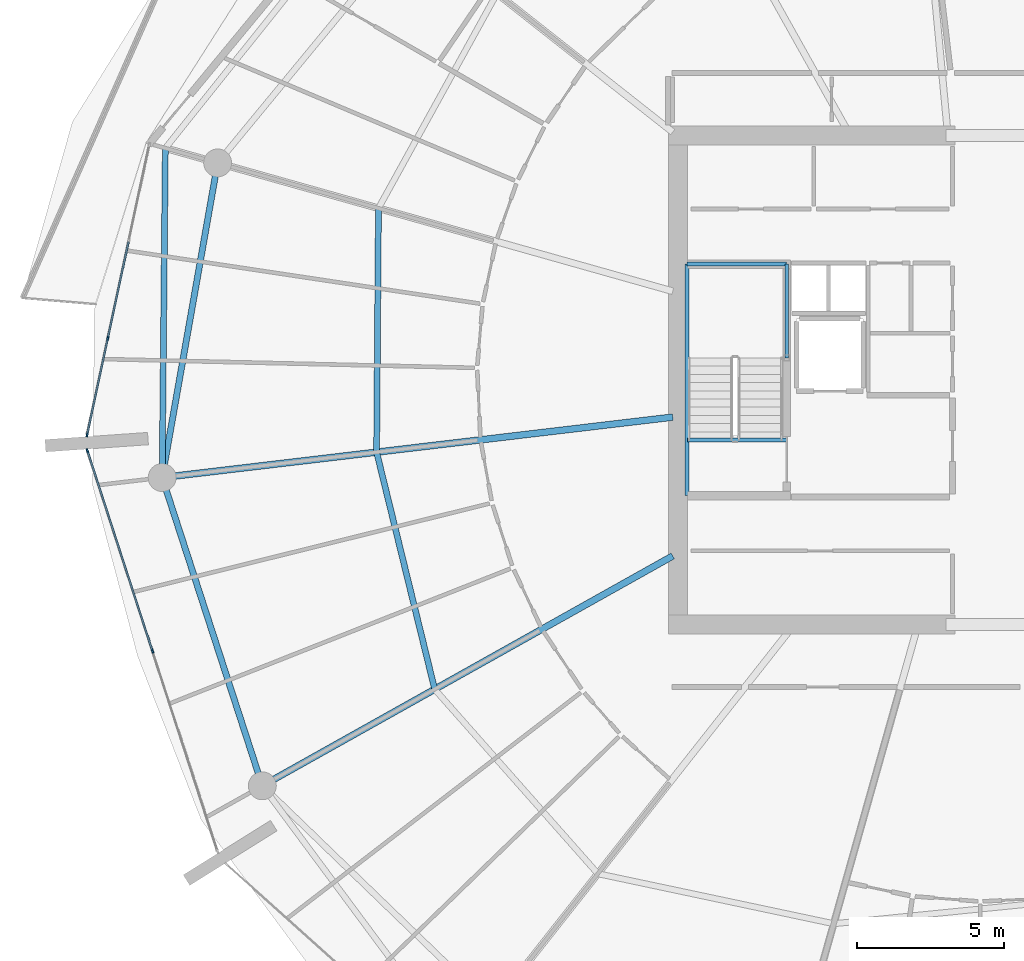
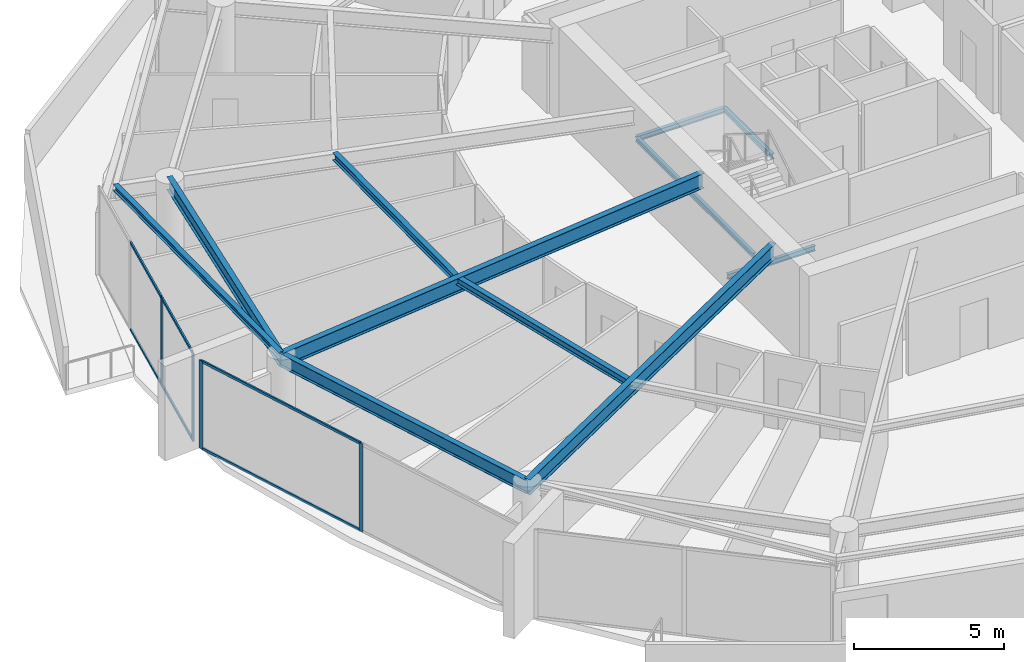
# One storey, part 8 of 30: 11 beams, 10 members, 2 elements without a shape of their own.
"""IFC4 building model written with IfcOpenShell, lengths in metres."""

import ifcopenshell
import ifcopenshell.guid

model = None  # the IFC model being written
_history = None  # IfcOwnerHistory: only IFC2X3 demands one
_inside = {}  # id of a spatial element -> (the spatial element, [elements in it])
_under = {}  # id of a project, library or spatial element -> (it, [spatial elements below it])
_declared = {}  # id of a project -> (the project, [libraries it declares])
_typed = {}  # id of a type object -> (the type object, [elements of that type])
_made_of = {}  # id of a material, layer set ... -> (it, [elements and type objects made of it])


def new_model(schema):
    """Start an empty IFC model of exactly this schema.

    Asked for "IFC4X3", IfcOpenShell would pick the latest addendum, in which some entities
    have other attributes; the version numbers below select the first issue.
    IFC2X3 requires an IfcOwnerHistory on every rooted entity: one is made here for all.
    """
    global model, _history
    if schema == "IFC4X3":
        model = ifcopenshell.file(schema_version=(4, 3, 0, 0))
    else:
        model = ifcopenshell.file(schema=schema)
    _inside.clear()
    _under.clear()
    _declared.clear()
    _typed.clear()
    _made_of.clear()
    _history = None
    if model.schema == "IFC2X3":
        org = make("IfcOrganization", Name="unknown")
        user = make(
            "IfcPersonAndOrganization",
            ThePerson=make("IfcPerson", FamilyName="unknown"),
            TheOrganization=org,
        )
        app = make(
            "IfcApplication",
            ApplicationDeveloper=org,
            Version="unknown",
            ApplicationFullName="unknown",
            ApplicationIdentifier="unknown",
        )
        _history = make(
            "IfcOwnerHistory",
            OwningUser=user,
            OwningApplication=app,
            ChangeAction="ADDED",
            CreationDate=0,
        )
    return model


def make(cls, **values):
    """One entity of the class cls with the attributes given. An attribute that is None is left unset."""
    return model.create_entity(
        cls, **{name: value for name, value in values.items() if value is not None}
    )


def rooted(cls, **values):
    """An entity with a GlobalId (a new one), such as an element, a storey or a relation."""
    return make(cls, GlobalId=ifcopenshell.guid.new(), OwnerHistory=_history, **values)


def si_unit(unit_type, name, prefix=None):
    """IfcSIUnit, for example si_unit("LENGTHUNIT", "METRE", prefix="MILLI")."""
    return make("IfcSIUnit", UnitType=unit_type, Prefix=prefix, Name=name)


def assignment(units):
    """IfcUnitAssignment: the units of a project."""
    return None if units is None else make("IfcUnitAssignment", Units=units)


def point(xyz):
    """IfcCartesianPoint."""
    return None if xyz is None else make("IfcCartesianPoint", Coordinates=xyz)


def direction(xyz):
    """IfcDirection."""
    return None if xyz is None else make("IfcDirection", DirectionRatios=xyz)


def frame(location, z_axis=None, x_axis=None):
    """IfcAxis2Placement3D, a coordinate frame: its origin and axes. An axis left out is left unset."""
    return make(
        "IfcAxis2Placement3D",
        Location=point(location),
        Axis=direction(z_axis),
        RefDirection=direction(x_axis),
    )


def frame_2d(location, x_axis=None):
    """IfcAxis2Placement2D, a coordinate frame in the plane: its origin and x axis."""
    return make(
        "IfcAxis2Placement2D", Location=point(location), RefDirection=direction(x_axis)
    )


def origin():
    """The frame at (0, 0, 0) with its axes left unset."""
    return frame((0.0, 0.0, 0.0))


def origin_2d():
    """The frame at (0, 0) in the plane with its x axis left unset."""
    return frame_2d((0.0, 0.0))


def place(relative_to, where):
    """IfcLocalPlacement: puts the frame where relative to a parent placement (None: the world)."""
    return make(
        "IfcLocalPlacement", PlacementRelTo=relative_to, RelativePlacement=where
    )


def context(
    kind, dimensions, precision=None, world=None, true_north=None, identifier=None
):
    """IfcGeometricRepresentationContext, for example the 3D "Model" context."""
    return make(
        "IfcGeometricRepresentationContext",
        ContextIdentifier=identifier,
        ContextType=kind,
        CoordinateSpaceDimension=dimensions,
        Precision=precision,
        WorldCoordinateSystem=world,
        TrueNorth=true_north,
    )


def subcontext(parent, identifier, kind, view, scale=None):
    """IfcGeometricRepresentationSubContext, for example "Body" below "Model"."""
    return make(
        "IfcGeometricRepresentationSubContext",
        ContextIdentifier=identifier,
        ContextType=kind,
        ParentContext=parent,
        TargetScale=scale,
        TargetView=view,
    )


def project(units=None, contexts=None):
    """IfcProject with its units and contexts."""
    return rooted(
        "IfcProject",
        Name="project",
        RepresentationContexts=contexts,
        UnitsInContext=assignment(units),
    )


def spatial(cls, under=None, at=None, **own):
    """A site, building, storey or space (cls), placed at a placement, below another one or the project."""
    s = rooted(cls, ObjectPlacement=at, **own)
    if under is not None:
        _under.setdefault(under.id(), (under, []))[1].append(s)
    return s


def profile(cls, at=None, kind="AREA", **sizes):
    """A parametric profile (cls). Its sizes go by their IFC names, for example OverallWidth=200.0."""
    return make(cls, ProfileType=kind, Position=at, **sizes)


def rectangle(**sizes):
    """IfcRectangleProfileDef."""
    return profile("IfcRectangleProfileDef", **sizes)


def i_section(**sizes):
    """IfcIShapeProfileDef."""
    return profile("IfcIShapeProfileDef", **sizes)


def extrude(swept, where, along, depth):
    """IfcExtrudedAreaSolid: the profile swept, set in the frame where, extruded along a direction by depth."""
    return make(
        "IfcExtrudedAreaSolid",
        SweptArea=swept,
        Position=where,
        ExtrudedDirection=direction(along),
        Depth=depth,
    )


def shape(context_of_items, identifier, shape_type, items):
    """IfcShapeRepresentation: the items that make up one representation, for example the "Body"."""
    return make(
        "IfcShapeRepresentation",
        ContextOfItems=context_of_items,
        RepresentationIdentifier=identifier,
        RepresentationType=shape_type,
        Items=items,
    )


def material(Name=None, Category=None):
    """IfcMaterial."""
    return make("IfcMaterial", Name=Name, Category=Category)


def layer(
    of_material, thickness, ventilated=None, Name=None, Category=None, Priority=None
):
    """IfcMaterialLayer: one layer of a wall or slab, of a material (None: an air gap)."""
    return make(
        "IfcMaterialLayer",
        Material=of_material,
        LayerThickness=thickness,
        IsVentilated=ventilated,
        Name=Name,
        Category=Category,
        Priority=Priority,
    )


def layer_set(layers, Name=None):
    """IfcMaterialLayerSet."""
    return make("IfcMaterialLayerSet", MaterialLayers=layers, LayerSetName=Name)


def material_profile(
    of_material, cross_section, Name=None, Category=None, Priority=None
):
    """IfcMaterialProfile: a cross section and its material."""
    return make(
        "IfcMaterialProfile",
        Name=Name,
        Material=of_material,
        Profile=cross_section,
        Priority=Priority,
        Category=Category,
    )


def profile_set(profiles, Name=None, composite=None):
    """IfcMaterialProfileSet."""
    return make(
        "IfcMaterialProfileSet",
        Name=Name,
        MaterialProfiles=profiles,
        CompositeProfile=composite,
    )


def made_of(thing, what):
    """Note that an element or type object is made of a material, layer set ...; save() writes the relation."""
    if what is not None:
        _made_of.setdefault(what.id(), (what, []))[1].append(thing)
    return thing


def type_object(cls, material=None, **own):
    """A type object (cls), such as IfcWallType, which elements share."""
    return made_of(rooted(cls, **own), material)


def element(
    cls,
    number,
    at=None,
    inside=None,
    cuts=None,
    type_object=None,
    material=None,
    context=None,
    identifier="Body",
    shape_type=None,
    held_by="IfcProductDefinitionShape",
    body=None,
    shapes=None,
    **own,
):
    """One element of the class cls, such as IfcWall. Its Tag is "e" and its number.

    at: its placement. inside: the storey or other place that contains it. cuts: it is an
    opening in that element (IfcRelVoidsElement). A single representation is given by context,
    identifier, shape_type and body (its items); several are given by shapes. held_by: the class
    of the entity that holds the representations. save() writes the other relations.
    """
    e = rooted(cls, Tag="e%d" % number, ObjectPlacement=at, **own)
    if body is not None:
        shapes = [shape(context, identifier, shape_type, body)]
    if shapes is not None:
        e.Representation = make(held_by, Representations=shapes)
    if inside is not None:
        _inside.setdefault(inside.id(), (inside, []))[1].append(e)
    if cuts is not None:
        rooted(
            "IfcRelVoidsElement", RelatingBuildingElement=cuts, RelatedOpeningElement=e
        )
    if type_object is not None:
        _typed.setdefault(type_object.id(), (type_object, []))[1].append(e)
    return made_of(e, material)


def aggregate(whole, parts):
    """IfcRelAggregates: a whole, such as a stair, and the parts it consists of."""
    return rooted("IfcRelAggregates", RelatingObject=whole, RelatedObjects=parts)


def save(model, path):
    """Write the relations noted so far, then the file.

    IfcRelAggregates (storeys below a building ...), IfcRelContainedInSpatialStructure (elements
    in a storey), IfcRelDefinesByType, IfcRelAssociatesMaterial and IfcRelDeclares: one each for
    every whole, place, type object, material and project.
    """
    for whole, parts in _under.values():
        aggregate(whole, parts)
    for where, things in _inside.values():
        rooted(
            "IfcRelContainedInSpatialStructure",
            RelatedElements=things,
            RelatingStructure=where,
        )
    for kind, things in _typed.values():
        rooted("IfcRelDefinesByType", RelatedObjects=things, RelatingType=kind)
    for what, things in _made_of.values():
        rooted("IfcRelAssociatesMaterial", RelatedObjects=things, RelatingMaterial=what)
    for by, libraries in _declared.values():
        rooted("IfcRelDeclares", RelatingContext=by, RelatedDefinitions=libraries)
    model.write(path)


model = new_model("IFC4")

# Units and contexts
model_context = context("Model", 3, precision=1e-05, world=origin(), true_north=direction((0.0, 1.0)))
body_context = subcontext(model_context, "Body", "Model", "MODEL_VIEW")
ifc_project = project(units=[si_unit("LENGTHUNIT", "METRE"), si_unit("AREAUNIT", "SQUARE_METRE"), si_unit("VOLUMEUNIT", "CUBIC_METRE"), si_unit("PLANEANGLEUNIT", "RADIAN"), si_unit("MASSUNIT", "GRAM", prefix="KILO")], contexts=[model_context])

# Site, building, storey
site_placement = place(None, origin())
site = spatial("IfcSite", under=ifc_project, at=site_placement, CompositionType="ELEMENT")
building_placement = place(site_placement, origin())
building = spatial("IfcBuilding", under=site, at=building_placement, Name="Kazma Halo Residences", CompositionType="ELEMENT")
storey_placement = place(building_placement, frame((0.0, 0.0, 263.64990234375)))
storey = spatial("IfcBuildingStorey", under=building, at=storey_placement, Name="L66", CompositionType="ELEMENT", Elevation=263.64990234375)

# Beams
ifc_material_1 = material(Name="Steel S355", Category="steel")
ifc_material_profile_1 = material_profile(ifc_material_1, i_section(OverallWidth=0.201904296875, OverallDepth=0.2470703125, WebThickness=0.00732421875, FlangeThickness=0.010986328125, FilletRadius=0.011962890625, at=origin_2d()), Name="W250x49.1")
ifc_profile_set_1 = profile_set([ifc_material_profile_1], Name="Steel S355")
beam_type_1 = type_object("IfcBeamType", Name="BM-BAL-CANT", PredefinedType="BEAM", material=ifc_profile_set_1)
beam_1_placement = place(storey_placement, frame((20.028564453125, 49.888916015625, 3.466552734375), z_axis=(-0.009645503464, -0.999953481049, 0.0), x_axis=(0.999953481049, -0.009645503464, 0.0)))
element("IfcBeam", 1, at=beam_1_placement, inside=storey, type_object=beam_type_1, Name="L66 wave-balcony tie beam 07", PredefinedType="BEAM", context=body_context, shape_type="SweptSolid", body=[
    extrude(i_section(OverallWidth=0.201904296875, OverallDepth=0.2470703125, WebThickness=0.00732421875, FlangeThickness=0.010986328125, FilletRadius=0.011962890625, at=origin_2d()), origin(), (0.0, 0.0, 1.0), 11.212890625),
])
ifc_material_profile_2 = material_profile(ifc_material_1, i_section(OverallWidth=0.22802734375, OverallDepth=0.60791015625, WebThickness=0.01123046875, FlangeThickness=0.017333984375, FilletRadius=0.01806640625, at=origin_2d()), Name="W610x113")
ifc_profile_set_2 = profile_set([ifc_material_profile_2], Name="Steel S355")
beam_type_2 = type_object("IfcBeamType", Name="BM-RAD-W610", PredefinedType="BEAM", material=ifc_profile_set_2)
beam_2_placement = place(storey_placement, frame((37.300048828125, 40.733642578125, 3.2861328125), z_axis=(-0.993067702517, -0.117543771495, 0.0), x_axis=(0.117543771495, -0.993067702517, 0.0)))
element("IfcBeam", 2, at=beam_2_placement, inside=storey, type_object=beam_type_2, Name="L66 radial floor beam 08", PredefinedType="BEAM", context=body_context, shape_type="SweptSolid", body=[
    extrude(i_section(OverallWidth=0.22802734375, OverallDepth=0.60791015625, WebThickness=0.01123046875, FlangeThickness=0.017333984375, FilletRadius=0.01806640625, at=origin_2d()), origin(), (0.0, 0.0, 1.0), 17.5009765625),
])
beam_3_placement = place(storey_placement, frame((37.300048828125, 36.0078125, 3.2861328125), z_axis=(-0.872498735757, -0.488616369049, 0.0), x_axis=(0.488616369049, -0.872498735757, 0.0)))
element("IfcBeam", 3, at=beam_3_placement, inside=storey, type_object=beam_type_2, Name="L66 radial floor beam 09", PredefinedType="BEAM", context=body_context, shape_type="SweptSolid", body=[
    extrude(i_section(OverallWidth=0.22802734375, OverallDepth=0.60791015625, WebThickness=0.01123046875, FlangeThickness=0.017333984375, FilletRadius=0.01806640625, at=origin_2d()), origin(), (0.0, 0.0, 1.0), 16.011962890625),
])
ifc_material_profile_3 = material_profile(ifc_material_1, i_section(OverallWidth=0.202880859375, OverallDepth=0.302978515625, WebThickness=0.007568359375, FlangeThickness=0.01318359375, FilletRadius=0.013916015625, at=origin_2d()), Name="W310x60")
ifc_profile_set_3 = profile_set([ifc_material_profile_3], Name="Steel S355")
beam_type_3 = type_object("IfcBeamType", Name="BM-SEC-W310A", PredefinedType="JOIST", material=ifc_profile_set_3)
beam_4_placement = place(storey_placement, frame((27.282470703125, 47.843017578125, 3.4384765625), z_axis=(-0.007527648623, -0.999971666852, 0.0), x_axis=(0.999971666852, -0.007527648623, 0.0)))
element("IfcBeam", 4, at=beam_4_placement, inside=storey, type_object=beam_type_3, Name="L66 circumferential floor joist 07", PredefinedType="JOIST", context=body_context, shape_type="SweptSolid", body=[
    extrude(i_section(OverallWidth=0.202880859375, OverallDepth=0.302978515625, WebThickness=0.007568359375, FlangeThickness=0.01318359375, FilletRadius=0.013916015625, at=origin_2d()), origin(), (0.0, 0.0, 1.0), 8.302734375),
])
beam_5_placement = place(storey_placement, frame((27.219970703125, 39.54052734375, 3.4384765625), z_axis=(0.237963200266, -0.971274171035, 0.0), x_axis=(0.971274171035, 0.237963200266, 0.0)))
element("IfcBeam", 5, at=beam_5_placement, inside=storey, type_object=beam_type_3, Name="L66 circumferential floor joist 08", PredefinedType="JOIST", context=body_context, shape_type="SweptSolid", body=[
    extrude(i_section(OverallWidth=0.202880859375, OverallDepth=0.302978515625, WebThickness=0.007568359375, FlangeThickness=0.01318359375, FilletRadius=0.013916015625, at=origin_2d()), origin(), (0.0, 0.0, 1.0), 8.309326171875),
])
ifc_material_profile_4 = material_profile(ifc_material_1, i_section(OverallWidth=0.208984375, OverallDepth=0.532958984375, WebThickness=0.01025390625, FlangeThickness=0.015625, FilletRadius=0.01611328125, at=origin_2d()), Name="W530x92")
ifc_profile_set_4 = profile_set([ifc_material_profile_4], Name="Steel S355")
beam_type_4 = type_object("IfcBeamType", Name="BM-SPN-W530", PredefinedType="BEAM", material=ifc_profile_set_4)
beam_6_placement = place(storey_placement, frame((21.80908203125, 49.38671875, 3.323486328125), z_axis=(-0.173663672311, -0.984805020763, 0.0), x_axis=(0.984805020763, -0.173663672311, 0.0)))
element("IfcBeam", 6, at=beam_6_placement, inside=storey, type_object=beam_type_4, Name="L66 perimeter ring beam 07", PredefinedType="BEAM", context=body_context, shape_type="SweptSolid", body=[
    extrude(i_section(OverallWidth=0.208984375, OverallDepth=0.532958984375, WebThickness=0.01025390625, FlangeThickness=0.015625, FilletRadius=0.01611328125, at=origin_2d()), origin(), (0.0, 0.0, 1.0), 10.87548828125),
])
beam_7_placement = place(storey_placement, frame((19.92041015625, 38.676513671875, 3.323486328125), z_axis=(0.309015517474, -0.951056996168, 0.0), x_axis=(0.951056996168, 0.309015517474, 0.0)))
element("IfcBeam", 7, at=beam_7_placement, inside=storey, type_object=beam_type_4, Name="L66 perimeter ring beam 08", PredefinedType="BEAM", context=body_context, shape_type="SweptSolid", body=[
    extrude(i_section(OverallWidth=0.208984375, OverallDepth=0.532958984375, WebThickness=0.01025390625, FlangeThickness=0.015625, FilletRadius=0.01611328125, at=origin_2d()), origin(), (0.0, 0.0, 1.0), 11.032470703125),
])
ifc_material_profile_5 = material_profile(ifc_material_1, i_section(OverallWidth=0.133056640625, OverallDepth=0.20703125, WebThickness=0.005859375, FlangeThickness=0.00830078125, FilletRadius=0.010009765625, at=origin_2d()), Name="W200x26.6")
ifc_profile_set_5 = profile_set([ifc_material_profile_5], Name="Steel S355")
beam_type_5 = type_object("IfcBeamType", Name="BM-TRIM-W200", PredefinedType="BEAM", material=ifc_profile_set_5)
beam_8_placement = place(storey_placement, frame((37.800048828125, 39.949951171875, -0.369873046875), z_axis=(1.0, 0.0, 0.0), x_axis=(0.0, 1.0, 0.0)))
element("IfcBeam", 8, at=beam_8_placement, inside=storey, type_object=beam_type_5, Name="L66 ST-01 floor landing support beam", PredefinedType="BEAM", context=body_context, shape_type="SweptSolid", body=[
    extrude(i_section(OverallWidth=0.133056640625, OverallDepth=0.20703125, WebThickness=0.005859375, FlangeThickness=0.00830078125, FilletRadius=0.010009765625, at=origin_2d()), origin(), (0.0, 0.0, 1.0), 3.3798828125),
])
beam_9_placement = place(storey_placement, frame((37.780029296875, 38.06005859375, 1.6201171875), z_axis=(0.0, 1.0, 0.0), x_axis=(-1.0, 0.0, 0.0)))
element("IfcBeam", 9, at=beam_9_placement, inside=storey, type_object=beam_type_5, Name="L66 ST-01 landing west wall ledger", PredefinedType="BEAM", context=body_context, shape_type="SweptSolid", body=[
    extrude(i_section(OverallWidth=0.133056640625, OverallDepth=0.20703125, WebThickness=0.005859375, FlangeThickness=0.00830078125, FilletRadius=0.010009765625, at=origin_2d()), origin(), (0.0, 0.0, 1.0), 7.8798828125),
])
beam_10_placement = place(storey_placement, frame((41.179931640625, 42.75, 1.6201171875), z_axis=(0.0, 1.0, 0.0), x_axis=(-1.0, 0.0, 0.0)))
element("IfcBeam", 10, at=beam_10_placement, inside=storey, type_object=beam_type_5, Name="L66 ST-01 landing east wall ledger", PredefinedType="BEAM", context=body_context, shape_type="SweptSolid", body=[
    extrude(i_section(OverallWidth=0.133056640625, OverallDepth=0.20703125, WebThickness=0.005859375, FlangeThickness=0.00830078125, FilletRadius=0.010009765625, at=origin_2d()), origin(), (0.0, 0.0, 1.0), 3.18994140625),
])
beam_11_placement = place(storey_placement, frame((37.780029296875, 45.93994140625, 1.6201171875), z_axis=(1.0, 0.0, 0.0), x_axis=(0.0, 1.0, 0.0)))
element("IfcBeam", 11, at=beam_11_placement, inside=storey, type_object=beam_type_5, Name="L66 ST-01 landing end wall ledger", PredefinedType="BEAM", context=body_context, shape_type="SweptSolid", body=[
    extrude(i_section(OverallWidth=0.133056640625, OverallDepth=0.20703125, WebThickness=0.005859375, FlangeThickness=0.00830078125, FilletRadius=0.010009765625, at=origin_2d()), origin(), (0.0, 0.0, 1.0), 3.39990234375),
])

# Curtain wall, members
ifc_material_2 = material(Name="Aluminium AW-6063 T6 and Triple-Silver Low-E Glass", Category="aluminium")
ifc_layer = layer(ifc_material_2, 0.139892578125)
ifc_layer_set = layer_set([ifc_layer], Name="Aluminium AW-6063 T6 and Triple-Silver Low-E Glass")
curtain_wall_type = type_object("IfcCurtainWallType", Name="CW-SYS-5", PredefinedType="NOTDEFINED", material=ifc_layer_set)
curtain_wall_1_placement = place(storey_placement, origin())
curtain_wall_1 = element("IfcCurtainWall", 12, at=curtain_wall_1_placement, inside=storey, type_object=curtain_wall_type, Name="L66 unitised curtain wall B07", PredefinedType="NOTDEFINED")
ifc_material_3 = material(Name="Aluminium AW-6063 T6", Category="aluminium")
ifc_material_profile_6 = material_profile(ifc_material_3, rectangle(XDim=0.06005859375, YDim=0.139892578125, at=origin_2d()), Name="CWM-60x140")
ifc_profile_set_6 = profile_set([ifc_material_profile_6], Name="Aluminium AW-6063 T6")
member_type_1 = type_object("IfcMemberType", Name="CW-SYS-5-MUL", PredefinedType="MULLION", material=ifc_profile_set_6)
member_1_placement = place(storey_placement, frame((18.0703125, 43.412841796875, 0.0), z_axis=(0.0, 0.0, 1.0), x_axis=(0.97777491373, -0.209657382603, 0.0)))
member_1 = element("IfcMember", 13, at=member_1_placement, type_object=member_type_1, Name="CWS-5 mullion 3", PredefinedType="MULLION", context=body_context, shape_type="SweptSolid", body=[
    extrude(rectangle(XDim=0.06005859375, YDim=0.139892578125, at=origin_2d()), origin(), (0.0, 0.0, 1.0), 3.590087890625),
])
member_2_placement = place(storey_placement, frame((17.3662109375, 40.12841796875, 0.0), z_axis=(0.0, 0.0, 1.0), x_axis=(0.97777491373, -0.209657382603, 0.0)))
member_2 = element("IfcMember", 14, at=member_2_placement, type_object=member_type_1, Name="CWS-5 mullion 4", PredefinedType="MULLION", context=body_context, shape_type="SweptSolid", body=[
    extrude(rectangle(XDim=0.06005859375, YDim=0.139892578125, at=origin_2d()), origin(), (0.0, 0.0, 1.0), 3.590087890625),
])

curtain_wall_2_placement = place(storey_placement, origin())
curtain_wall_2 = element("IfcCurtainWall", 15, at=curtain_wall_2_placement, inside=storey, type_object=curtain_wall_type, Name="L66 unitised curtain wall B08", PredefinedType="NOTDEFINED")
member_3_placement = place(storey_placement, frame((17.377197265625, 39.587646484375, 0.0), z_axis=(0.0, 0.0, 1.0), x_axis=(0.951058464359, 0.309010998786, 0.0)))
member_3 = element("IfcMember", 16, at=member_3_placement, type_object=member_type_1, Name="CWS-5 mullion 1", PredefinedType="MULLION", context=body_context, shape_type="SweptSolid", body=[
    extrude(rectangle(XDim=0.06005859375, YDim=0.139892578125, at=origin_2d()), origin(), (0.0, 0.0, 1.0), 3.590087890625),
])
member_4_placement = place(storey_placement, frame((19.59228515625, 32.769775390625, 0.0), z_axis=(0.0, 0.0, 1.0), x_axis=(0.951058464359, 0.309010998786, 0.0)))
member_4 = element("IfcMember", 17, at=member_4_placement, type_object=member_type_1, Name="CWS-5 mullion 2", PredefinedType="MULLION", context=body_context, shape_type="SweptSolid", body=[
    extrude(rectangle(XDim=0.06005859375, YDim=0.139892578125, at=origin_2d()), origin(), (0.0, 0.0, 1.0), 3.590087890625),
])

# Member
ifc_material_profile_7 = material_profile(ifc_material_3, rectangle(XDim=0.06005859375, YDim=0.10498046875, at=origin_2d()), Name="CWT-60x105")
ifc_profile_set_7 = profile_set([ifc_material_profile_7], Name="Aluminium AW-6063 T6")
member_type_2 = type_object("IfcMemberType", Name="CW-SYS-5-TRN", PredefinedType="USERDEFINED", material=ifc_profile_set_7)
member_5_placement = place(storey_placement, frame((18.774658203125, 46.697265625, 0.030029296875), z_axis=(-0.209664309019, -0.977773428522, 0.0), x_axis=(0.977773428522, -0.209664309019, 0.0)))
member_5 = element("IfcMember", 18, at=member_5_placement, type_object=member_type_2, Name="CWS-5 transom 2.1", ObjectType="TRANSOM", PredefinedType="USERDEFINED", context=body_context, shape_type="SweptSolid", body=[
    extrude(rectangle(XDim=0.06005859375, YDim=0.10498046875, at=origin_2d()), origin(), (0.0, 0.0, 1.0), 3.3291015625),
])

member_6_placement = place(storey_placement, frame((18.774658203125, 46.697265625, 3.56005859375), z_axis=(-0.209664309019, -0.977773428522, 0.0), x_axis=(0.977773428522, -0.209664309019, 0.0)))
member_6 = element("IfcMember", 19, at=member_6_placement, type_object=member_type_2, Name="CWS-5 transom 2.2", ObjectType="TRANSOM", PredefinedType="USERDEFINED", context=body_context, shape_type="SweptSolid", body=[
    extrude(rectangle(XDim=0.06005859375, YDim=0.10498046875, at=origin_2d()), origin(), (0.0, 0.0, 1.0), 3.3291015625),
])

member_7_placement = place(storey_placement, frame((18.064208984375, 43.383544921875, 0.030029296875), z_axis=(-0.209645323239, -0.977777499457, 0.0), x_axis=(0.977777499457, -0.209645323239, 0.0)))
member_7 = element("IfcMember", 20, at=member_7_placement, type_object=member_type_2, Name="CWS-5 transom 3.1", ObjectType="TRANSOM", PredefinedType="USERDEFINED", context=body_context, shape_type="SweptSolid", body=[
    extrude(rectangle(XDim=0.06005859375, YDim=0.10498046875, at=origin_2d()), origin(), (0.0, 0.0, 1.0), 3.299072265625),
])

member_8_placement = place(storey_placement, frame((18.064208984375, 43.383544921875, 3.56005859375), z_axis=(-0.209645323239, -0.977777499457, 0.0), x_axis=(0.977777499457, -0.209645323239, 0.0)))
member_8 = element("IfcMember", 21, at=member_8_placement, type_object=member_type_2, Name="CWS-5 transom 3.2", ObjectType="TRANSOM", PredefinedType="USERDEFINED", context=body_context, shape_type="SweptSolid", body=[
    extrude(rectangle(XDim=0.06005859375, YDim=0.10498046875, at=origin_2d()), origin(), (0.0, 0.0, 1.0), 3.299072265625),
])

aggregate(curtain_wall_1, [member_1, member_2, member_5, member_6, member_7, member_8])

member_9_placement = place(storey_placement, frame((17.386474609375, 39.55908203125, 0.030029296875), z_axis=(0.308995987448, -0.951063341603, 0.0), x_axis=(0.951063341603, 0.308995987448, 0.0)))
member_9 = element("IfcMember", 22, at=member_9_placement, type_object=member_type_2, Name="CWS-5 transom 1.1", ObjectType="TRANSOM", PredefinedType="USERDEFINED", context=body_context, shape_type="SweptSolid", body=[
    extrude(rectangle(XDim=0.06005859375, YDim=0.10498046875, at=origin_2d()), origin(), (0.0, 0.0, 1.0), 7.108642578125),
])

member_10_placement = place(storey_placement, frame((17.386474609375, 39.55908203125, 3.56005859375), z_axis=(0.308995987448, -0.951063341603, 0.0), x_axis=(0.951063341603, 0.308995987448, 0.0)))
member_10 = element("IfcMember", 23, at=member_10_placement, type_object=member_type_2, Name="CWS-5 transom 1.2", ObjectType="TRANSOM", PredefinedType="USERDEFINED", context=body_context, shape_type="SweptSolid", body=[
    extrude(rectangle(XDim=0.06005859375, YDim=0.10498046875, at=origin_2d()), origin(), (0.0, 0.0, 1.0), 7.108642578125),
])

aggregate(curtain_wall_2, [member_3, member_4, member_9, member_10])

save(model, "model.ifc")
